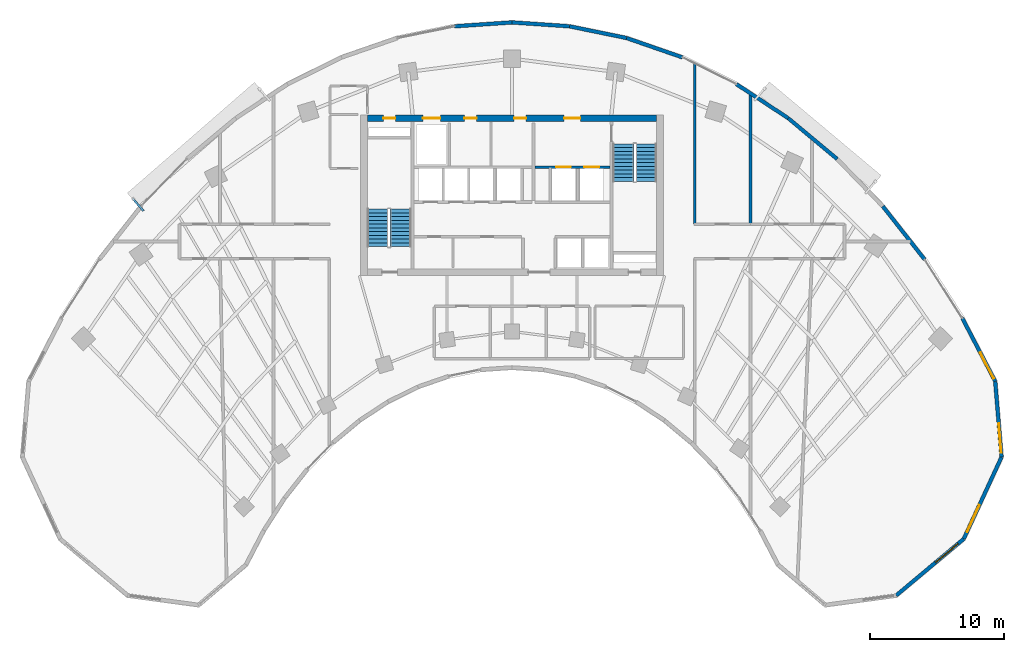
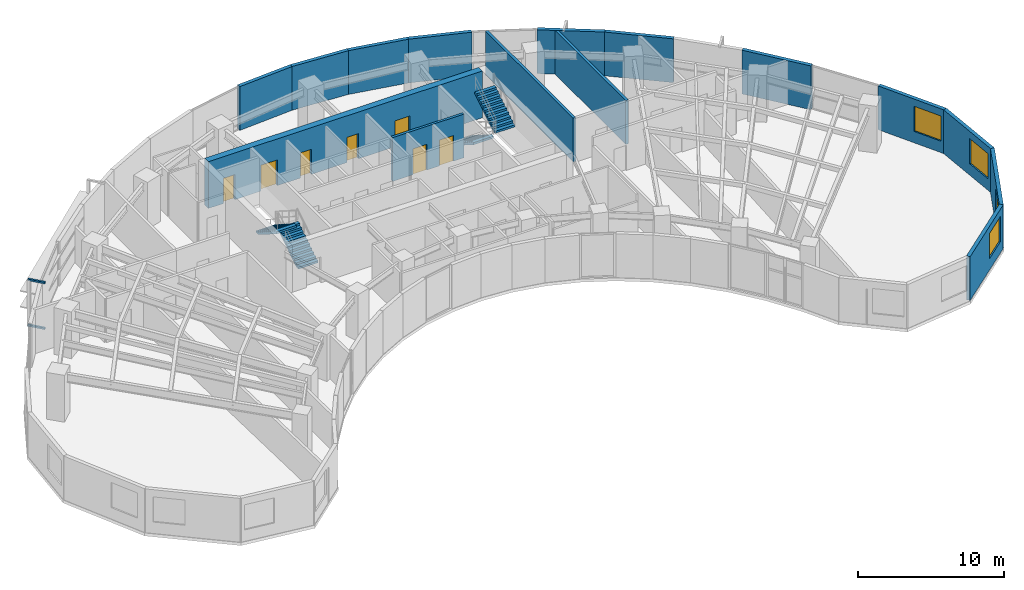
# One storey, part 11 of 14: 15 walls, 7 doors, 4 stair flights, 4 windows, 2 discrete accessories, 11 openings, 2 elements without a shape of their own.
"""IFC4 building model written with IfcOpenShell, lengths in metres."""

import ifcopenshell
import ifcopenshell.guid

model = None  # the IFC model being written
_history = None  # IfcOwnerHistory: only IFC2X3 demands one
_inside = {}  # id of a spatial element -> (the spatial element, [elements in it])
_under = {}  # id of a project, library or spatial element -> (it, [spatial elements below it])
_declared = {}  # id of a project -> (the project, [libraries it declares])
_typed = {}  # id of a type object -> (the type object, [elements of that type])
_made_of = {}  # id of a material, layer set ... -> (it, [elements and type objects made of it])


def new_model(schema):
    """Start an empty IFC model of exactly this schema.

    Asked for "IFC4X3", IfcOpenShell would pick the latest addendum, in which some entities
    have other attributes; the version numbers below select the first issue.
    IFC2X3 requires an IfcOwnerHistory on every rooted entity: one is made here for all.
    """
    global model, _history
    if schema == "IFC4X3":
        model = ifcopenshell.file(schema_version=(4, 3, 0, 0))
    else:
        model = ifcopenshell.file(schema=schema)
    _inside.clear()
    _under.clear()
    _declared.clear()
    _typed.clear()
    _made_of.clear()
    _history = None
    if model.schema == "IFC2X3":
        org = make("IfcOrganization", Name="unknown")
        user = make(
            "IfcPersonAndOrganization",
            ThePerson=make("IfcPerson", FamilyName="unknown"),
            TheOrganization=org,
        )
        app = make(
            "IfcApplication",
            ApplicationDeveloper=org,
            Version="unknown",
            ApplicationFullName="unknown",
            ApplicationIdentifier="unknown",
        )
        _history = make(
            "IfcOwnerHistory",
            OwningUser=user,
            OwningApplication=app,
            ChangeAction="ADDED",
            CreationDate=0,
        )
    return model


def make(cls, **values):
    """One entity of the class cls with the attributes given. An attribute that is None is left unset."""
    return model.create_entity(
        cls, **{name: value for name, value in values.items() if value is not None}
    )


def rooted(cls, **values):
    """An entity with a GlobalId (a new one), such as an element, a storey or a relation."""
    return make(cls, GlobalId=ifcopenshell.guid.new(), OwnerHistory=_history, **values)


def si_unit(unit_type, name, prefix=None):
    """IfcSIUnit, for example si_unit("LENGTHUNIT", "METRE", prefix="MILLI")."""
    return make("IfcSIUnit", UnitType=unit_type, Prefix=prefix, Name=name)


def assignment(units):
    """IfcUnitAssignment: the units of a project."""
    return None if units is None else make("IfcUnitAssignment", Units=units)


def point(xyz):
    """IfcCartesianPoint."""
    return None if xyz is None else make("IfcCartesianPoint", Coordinates=xyz)


def direction(xyz):
    """IfcDirection."""
    return None if xyz is None else make("IfcDirection", DirectionRatios=xyz)


def frame(location, z_axis=None, x_axis=None):
    """IfcAxis2Placement3D, a coordinate frame: its origin and axes. An axis left out is left unset."""
    return make(
        "IfcAxis2Placement3D",
        Location=point(location),
        Axis=direction(z_axis),
        RefDirection=direction(x_axis),
    )


def frame_2d(location, x_axis=None):
    """IfcAxis2Placement2D, a coordinate frame in the plane: its origin and x axis."""
    return make(
        "IfcAxis2Placement2D", Location=point(location), RefDirection=direction(x_axis)
    )


def origin():
    """The frame at (0, 0, 0) with its axes left unset."""
    return frame((0.0, 0.0, 0.0))


def origin_2d():
    """The frame at (0, 0) in the plane with its x axis left unset."""
    return frame_2d((0.0, 0.0))


def place(relative_to, where):
    """IfcLocalPlacement: puts the frame where relative to a parent placement (None: the world)."""
    return make(
        "IfcLocalPlacement", PlacementRelTo=relative_to, RelativePlacement=where
    )


def context(
    kind, dimensions, precision=None, world=None, true_north=None, identifier=None
):
    """IfcGeometricRepresentationContext, for example the 3D "Model" context."""
    return make(
        "IfcGeometricRepresentationContext",
        ContextIdentifier=identifier,
        ContextType=kind,
        CoordinateSpaceDimension=dimensions,
        Precision=precision,
        WorldCoordinateSystem=world,
        TrueNorth=true_north,
    )


def subcontext(parent, identifier, kind, view, scale=None):
    """IfcGeometricRepresentationSubContext, for example "Body" below "Model"."""
    return make(
        "IfcGeometricRepresentationSubContext",
        ContextIdentifier=identifier,
        ContextType=kind,
        ParentContext=parent,
        TargetScale=scale,
        TargetView=view,
    )


def project(units=None, contexts=None):
    """IfcProject with its units and contexts."""
    return rooted(
        "IfcProject",
        Name="project",
        RepresentationContexts=contexts,
        UnitsInContext=assignment(units),
    )


def spatial(cls, under=None, at=None, **own):
    """A site, building, storey or space (cls), placed at a placement, below another one or the project."""
    s = rooted(cls, ObjectPlacement=at, **own)
    if under is not None:
        _under.setdefault(under.id(), (under, []))[1].append(s)
    return s


def polyline(points):
    """IfcPolyline through the points."""
    return make("IfcPolyline", Points=[point(p) for p in points])


def profile(cls, at=None, kind="AREA", **sizes):
    """A parametric profile (cls). Its sizes go by their IFC names, for example OverallWidth=200.0."""
    return make(cls, ProfileType=kind, Position=at, **sizes)


def rectangle(**sizes):
    """IfcRectangleProfileDef."""
    return profile("IfcRectangleProfileDef", **sizes)


def outline(outer, holes=None, kind="AREA"):
    """IfcArbitraryClosedProfileDef: a profile drawn as a closed curve; with holes, ...WithVoids."""
    if holes is None:
        return make("IfcArbitraryClosedProfileDef", ProfileType=kind, OuterCurve=outer)
    return make(
        "IfcArbitraryProfileDefWithVoids",
        ProfileType=kind,
        OuterCurve=outer,
        InnerCurves=holes,
    )


def extrude(swept, where, along, depth):
    """IfcExtrudedAreaSolid: the profile swept, set in the frame where, extruded along a direction by depth."""
    return make(
        "IfcExtrudedAreaSolid",
        SweptArea=swept,
        Position=where,
        ExtrudedDirection=direction(along),
        Depth=depth,
    )


def shape(context_of_items, identifier, shape_type, items):
    """IfcShapeRepresentation: the items that make up one representation, for example the "Body"."""
    return make(
        "IfcShapeRepresentation",
        ContextOfItems=context_of_items,
        RepresentationIdentifier=identifier,
        RepresentationType=shape_type,
        Items=items,
    )


def source(mapping_origin, context_of_items, identifier, shape_type, items):
    """IfcRepresentationMap: a shape defined once, which mapped items show again and again."""
    return make(
        "IfcRepresentationMap",
        MappingOrigin=mapping_origin,
        MappedRepresentation=shape(context_of_items, identifier, shape_type, items),
    )


def transform(
    local_origin,
    x_axis=None,
    y_axis=None,
    z_axis=None,
    scale=None,
    scale2=None,
    scale3=None,
    uniform=True,
):
    """IfcCartesianTransformationOperator3D, or its non-uniform kind. x_axis, y_axis, z_axis: its Axis1, 2, 3."""
    if uniform:
        return make(
            "IfcCartesianTransformationOperator3D",
            Axis1=direction(x_axis),
            Axis2=direction(y_axis),
            LocalOrigin=point(local_origin),
            Scale=scale,
            Axis3=direction(z_axis),
        )
    return make(
        "IfcCartesianTransformationOperator3DnonUniform",
        Axis1=direction(x_axis),
        Axis2=direction(y_axis),
        LocalOrigin=point(local_origin),
        Scale=scale,
        Axis3=direction(z_axis),
        Scale2=scale2,
        Scale3=scale3,
    )


def mapped(mapping_source, mapping_target):
    """IfcMappedItem: shows the shape of a source again, moved by a transform."""
    return make(
        "IfcMappedItem", MappingSource=mapping_source, MappingTarget=mapping_target
    )


def material(Name=None, Category=None):
    """IfcMaterial."""
    return make("IfcMaterial", Name=Name, Category=Category)


def layer(
    of_material, thickness, ventilated=None, Name=None, Category=None, Priority=None
):
    """IfcMaterialLayer: one layer of a wall or slab, of a material (None: an air gap)."""
    return make(
        "IfcMaterialLayer",
        Material=of_material,
        LayerThickness=thickness,
        IsVentilated=ventilated,
        Name=Name,
        Category=Category,
        Priority=Priority,
    )


def layer_set(layers, Name=None):
    """IfcMaterialLayerSet."""
    return make("IfcMaterialLayerSet", MaterialLayers=layers, LayerSetName=Name)


def made_of(thing, what):
    """Note that an element or type object is made of a material, layer set ...; save() writes the relation."""
    if what is not None:
        _made_of.setdefault(what.id(), (what, []))[1].append(thing)
    return thing


def type_object(cls, material=None, **own):
    """A type object (cls), such as IfcWallType, which elements share."""
    return made_of(rooted(cls, **own), material)


def type_shapes(of_type, sources):
    """Give a type object the sources (RepresentationMaps) that its elements show as mapped items."""
    of_type.RepresentationMaps = sources


def element(
    cls,
    number,
    at=None,
    inside=None,
    cuts=None,
    type_object=None,
    material=None,
    context=None,
    identifier="Body",
    shape_type=None,
    held_by="IfcProductDefinitionShape",
    body=None,
    shapes=None,
    **own,
):
    """One element of the class cls, such as IfcWall. Its Tag is "e" and its number.

    at: its placement. inside: the storey or other place that contains it. cuts: it is an
    opening in that element (IfcRelVoidsElement). A single representation is given by context,
    identifier, shape_type and body (its items); several are given by shapes. held_by: the class
    of the entity that holds the representations. save() writes the other relations.
    """
    e = rooted(cls, Tag="e%d" % number, ObjectPlacement=at, **own)
    if body is not None:
        shapes = [shape(context, identifier, shape_type, body)]
    if shapes is not None:
        e.Representation = make(held_by, Representations=shapes)
    if inside is not None:
        _inside.setdefault(inside.id(), (inside, []))[1].append(e)
    if cuts is not None:
        rooted(
            "IfcRelVoidsElement", RelatingBuildingElement=cuts, RelatedOpeningElement=e
        )
    if type_object is not None:
        _typed.setdefault(type_object.id(), (type_object, []))[1].append(e)
    return made_of(e, material)


def fill(opening, filler):
    """IfcRelFillsElement: the door or window that sits in an opening."""
    return rooted(
        "IfcRelFillsElement",
        RelatingOpeningElement=opening,
        RelatedBuildingElement=filler,
    )


def aggregate(whole, parts):
    """IfcRelAggregates: a whole, such as a stair, and the parts it consists of."""
    return rooted("IfcRelAggregates", RelatingObject=whole, RelatedObjects=parts)


def save(model, path):
    """Write the relations noted so far, then the file.

    IfcRelAggregates (storeys below a building ...), IfcRelContainedInSpatialStructure (elements
    in a storey), IfcRelDefinesByType, IfcRelAssociatesMaterial and IfcRelDeclares: one each for
    every whole, place, type object, material and project.
    """
    for whole, parts in _under.values():
        aggregate(whole, parts)
    for where, things in _inside.values():
        rooted(
            "IfcRelContainedInSpatialStructure",
            RelatedElements=things,
            RelatingStructure=where,
        )
    for kind, things in _typed.values():
        rooted("IfcRelDefinesByType", RelatedObjects=things, RelatingType=kind)
    for what, things in _made_of.values():
        rooted("IfcRelAssociatesMaterial", RelatedObjects=things, RelatingMaterial=what)
    for by, libraries in _declared.values():
        rooted("IfcRelDeclares", RelatingContext=by, RelatedDefinitions=libraries)
    model.write(path)


model = new_model("IFC4")

# Units and contexts
model_context = context("Model", 3, precision=1e-05, world=origin(), true_north=direction((0.0, 1.0)))
body_context = subcontext(model_context, "Body", "Model", "MODEL_VIEW")
ifc_project = project(units=[si_unit("LENGTHUNIT", "METRE"), si_unit("AREAUNIT", "SQUARE_METRE"), si_unit("VOLUMEUNIT", "CUBIC_METRE"), si_unit("PLANEANGLEUNIT", "RADIAN"), si_unit("MASSUNIT", "GRAM", prefix="KILO")], contexts=[model_context])

# Site, building, storey
site_placement = place(None, origin())
site = spatial("IfcSite", under=ifc_project, at=site_placement, CompositionType="ELEMENT")
building_placement = place(site_placement, origin())
building = spatial("IfcBuilding", under=site, at=building_placement, Name="Breltana Convention Tower", CompositionType="ELEMENT")
storey_placement = place(building_placement, frame((0.0, 0.0, 135.0)))
storey = spatial("IfcBuildingStorey", under=building, at=storey_placement, Name="L32", CompositionType="ELEMENT", Elevation=135.0)

# Wall, openings, doors
ifc_material_1 = material(Name="Concrete C60/75", Category="concrete")
ifc_layer_1 = layer(ifc_material_1, 0.5, Name="Concrete C60/75")
ifc_layer_set_1 = layer_set([ifc_layer_1], Name="Concrete C60/75")
wall_type_1 = type_object("IfcWallType", Name="SW-CORE-500", PredefinedType="SHEAR", material=ifc_layer_set_1)
shared_shape_1 = source(origin(), body_context, "Body", "SweptSolid", [
    extrude(rectangle(XDim=21.60009765625, YDim=0.5, at=frame_2d((10.800048828125, 0.0))), origin(), (0.0, 0.0, 1.0), 3.89990234375),
])
wall_1_placement = place(storey_placement, frame((37.199951171875, 71.949951171875, 0.0), z_axis=(0.0, 0.0, 1.0), x_axis=(1.0, 0.0, 0.0)))
wall_1 = element("IfcWall", 1, at=wall_1_placement, inside=storey, type_object=wall_type_1, Name="L32 North Core Shear Wall", PredefinedType="SHEAR", context=body_context, shape_type="MappedRepresentation", body=[
    mapped(shared_shape_1, transform((0.0, 0.0, 0.0), scale=1.0)),
])
opening_1_placement = place(wall_1_placement, frame((1.199951171875, 0.0, 0.0)))
opening_1 = element("IfcOpeningElement", 2, at=opening_1_placement, cuts=wall_1, Name="Opening D-18", PredefinedType="OPENING", context=body_context, shape_type="SweptSolid", body=[
    extrude(rectangle(XDim=0.89990234375, YDim=2.10009765625, at=frame_2d((0.449951171875, 1.050048828125))), frame((0.0, 0.260009765625, 0.0), z_axis=(0.0, -1.0, 0.0), x_axis=(1.0, 0.0, 0.0)), (0.0, 0.0, 1.0), 0.52001953125),
])
opening_2_placement = place(wall_1_placement, frame((14.699951171875, 0.0, 0.0)))
opening_2 = element("IfcOpeningElement", 3, at=opening_2_placement, cuts=wall_1, Name="Opening D-09", PredefinedType="OPENING", context=body_context, shape_type="SweptSolid", body=[
    extrude(rectangle(XDim=1.199951171875, YDim=2.14990234375, at=frame_2d((0.60009765625, 1.074951171875))), frame((0.0, 0.260009765625, 0.0), z_axis=(0.0, -1.0, 0.0), x_axis=(1.0, 0.0, 0.0)), (0.0, 0.0, 1.0), 0.52001953125),
])
opening_3_placement = place(wall_1_placement, frame((4.14990234375, 0.0, 0.0)))
opening_3 = element("IfcOpeningElement", 4, at=opening_3_placement, cuts=wall_1, Name="Opening LD-01", PredefinedType="OPENING", context=body_context, shape_type="SweptSolid", body=[
    extrude(rectangle(XDim=1.300048828125, YDim=2.14990234375, at=frame_2d((0.64990234375, 1.074951171875))), frame((0.0, 0.260009765625, 0.0), z_axis=(0.0, -1.0, 0.0), x_axis=(1.0, 0.0, 0.0)), (0.0, 0.0, 1.0), 0.52001953125),
])
opening_4_placement = place(wall_1_placement, frame((7.25, 0.0, 0.0)))
opening_4 = element("IfcOpeningElement", 5, at=opening_4_placement, cuts=wall_1, Name="Opening D-18", PredefinedType="OPENING", context=body_context, shape_type="SweptSolid", body=[
    extrude(rectangle(XDim=0.89990234375, YDim=2.10009765625, at=frame_2d((0.449951171875, 1.050048828125))), frame((0.0, 0.260009765625, 0.0), z_axis=(0.0, -1.0, 0.0), x_axis=(1.0, 0.0, 0.0)), (0.0, 0.0, 1.0), 0.52001953125),
])
opening_5_placement = place(wall_1_placement, frame((10.949951171875, 0.0, 0.0)))
opening_5 = element("IfcOpeningElement", 6, at=opening_5_placement, cuts=wall_1, Name="Opening D-18", PredefinedType="OPENING", context=body_context, shape_type="SweptSolid", body=[
    extrude(rectangle(XDim=0.89990234375, YDim=2.10009765625, at=frame_2d((0.449951171875, 1.050048828125))), frame((0.0, 0.260009765625, 0.0), z_axis=(0.0, -1.0, 0.0), x_axis=(1.0, 0.0, 0.0)), (0.0, 0.0, 1.0), 0.52001953125),
])
ifc_material_2 = material(Name="Steel Riser Fire Door", Category="steel")
door_type_1 = type_object("IfcDoorType", Name="DR-FD60-900", OperationType="NOTDEFINED", PredefinedType="DOOR", material=ifc_material_2)
shared_shape_2 = source(origin(), body_context, "Body", "SweptSolid", [
    extrude(rectangle(XDim=0.89990234375, YDim=2.10009765625, at=frame_2d((0.449951171875, 1.050048828125))), frame((0.0, 0.02490234375, 0.0), z_axis=(0.0, -1.0, 0.0), x_axis=(1.0, 0.0, 0.0)), (0.0, 0.0, 1.0), 0.050048828125),
])
type_shapes(door_type_1, [shared_shape_2])
door_1_placement = place(opening_1_placement, origin())
door_1 = element("IfcDoor", 7, at=door_1_placement, inside=storey, type_object=door_type_1, Name="L32 Core Riser Access Door D-L32-RS1", OperationType="SINGLE_SWING_LEFT", OverallHeight=2.10009765625, OverallWidth=0.89990234375, PredefinedType="DOOR", context=body_context, shape_type="MappedRepresentation", body=[
    mapped(shared_shape_2, transform((0.0, 0.0, 0.0), scale=1.0)),
])
fill(opening_1, door_1)
door_2_placement = place(opening_4_placement, origin())
door_2 = element("IfcDoor", 8, at=door_2_placement, inside=storey, type_object=door_type_1, Name="L32 interior door D-L32-CRA1", OperationType="SINGLE_SWING_RIGHT", OverallHeight=2.10009765625, OverallWidth=0.89990234375, PredefinedType="DOOR", context=body_context, shape_type="MappedRepresentation", body=[
    mapped(shared_shape_2, transform((0.0, 0.0, 0.0), scale=1.0)),
])
fill(opening_4, door_2)
door_3_placement = place(opening_5_placement, origin())
door_3 = element("IfcDoor", 9, at=door_3_placement, inside=storey, type_object=door_type_1, Name="L32 interior door D-L32-CRA2", OperationType="SINGLE_SWING_LEFT", OverallHeight=2.10009765625, OverallWidth=0.89990234375, PredefinedType="DOOR", context=body_context, shape_type="MappedRepresentation", body=[
    mapped(shared_shape_2, transform((0.0, 0.0, 0.0), scale=1.0)),
])
fill(opening_5, door_3)
ifc_material_3 = material(Name="Steel Fire Lobby Door", Category="steel")
door_type_2 = type_object("IfcDoorType", Name="DR-FD120-1200", OperationType="NOTDEFINED", PredefinedType="DOOR", material=ifc_material_3)
shared_shape_3 = source(origin(), body_context, "Body", "SweptSolid", [
    extrude(rectangle(XDim=1.199951171875, YDim=2.14990234375, at=frame_2d((0.60009765625, 1.074951171875))), frame((0.0, 0.02490234375, 0.0), z_axis=(0.0, -1.0, 0.0), x_axis=(1.0, 0.0, 0.0)), (0.0, 0.0, 1.0), 0.050048828125),
])
type_shapes(door_type_2, [shared_shape_3])
door_4_placement = place(opening_2_placement, origin())
door_4 = element("IfcDoor", 10, at=door_4_placement, inside=storey, type_object=door_type_2, Name="L32 interior door D-L32-FFL-N", OperationType="SINGLE_SWING_RIGHT", OverallHeight=2.14990234375, OverallWidth=1.199951171875, PredefinedType="DOOR", context=body_context, shape_type="MappedRepresentation", body=[
    mapped(shared_shape_3, transform((0.0, 0.0, 0.0), scale=1.0)),
])
fill(opening_2, door_4)
ifc_material_4 = material(Name="Stainless Steel Brushed", Category="steel")
door_type_3 = type_object("IfcDoorType", Name="DR-LD-SRV-1300", OperationType="DOUBLE_DOOR_SLIDING", PredefinedType="DOOR", material=ifc_material_4)
shared_shape_4 = source(origin(), body_context, "Body", "SweptSolid", [
    extrude(rectangle(XDim=1.300048828125, YDim=2.14990234375, at=frame_2d((0.64990234375, 1.074951171875))), frame((0.0, 0.02490234375, 0.0), z_axis=(0.0, -1.0, 0.0), x_axis=(1.0, 0.0, 0.0)), (0.0, 0.0, 1.0), 0.050048828125),
])
type_shapes(door_type_3, [shared_shape_4])
door_5_placement = place(opening_3_placement, origin())
door_5 = element("IfcDoor", 11, at=door_5_placement, inside=storey, type_object=door_type_3, Name="L32 Lift Landing Door D-L32-LD-SV1", OperationType="DOUBLE_DOOR_SLIDING", OverallHeight=2.14990234375, OverallWidth=1.300048828125, PredefinedType="DOOR", context=body_context, shape_type="MappedRepresentation", body=[
    mapped(shared_shape_4, transform((0.0, 0.0, 0.0), scale=1.0)),
])
fill(opening_3, door_5)

# Wall, opening, window
ifc_material_5 = material(Name="Limestone Buff Insulated Wall", Category="masonry")
ifc_layer_2 = layer(ifc_material_5, 0.280029296875, Name="Limestone Buff Insulated Wall")
ifc_layer_set_2 = layer_set([ifc_layer_2], Name="Limestone Buff Insulated Wall")
wall_type_2 = type_object("IfcWallType", Name="WL-EXT-NOSE-280", PredefinedType="SOLIDWALL", material=ifc_layer_set_2)
shared_shape_5 = source(origin(), body_context, "Body", "SweptSolid", [
    extrude(rectangle(XDim=5.673583984375, YDim=0.280029296875, at=frame_2d((2.8369140625, 0.0))), origin(), (0.0, 0.0, 1.0), 3.64990234375),
])
wall_2_placement = place(storey_placement, frame((84.07763671875, 52.305419921875, 0.0), z_axis=(0.0, 0.0, 1.0), x_axis=(0.083309007867, -0.996523762491, 0.0)))
wall_2 = element("IfcWall", 12, at=wall_2_placement, inside=storey, type_object=wall_type_2, Name="L32 curved limestone nose wall E1", PredefinedType="SOLIDWALL", context=body_context, shape_type="MappedRepresentation", body=[
    mapped(shared_shape_5, transform((0.0, 0.0, 0.0), scale=1.0)),
])
opening_6_placement = place(wall_2_placement, frame((3.155029296875, 0.0, 0.949951171875)))
opening_6 = element("IfcOpeningElement", 13, at=opening_6_placement, cuts=wall_2, Name="Opening W-03", PredefinedType="OPENING", context=body_context, shape_type="SweptSolid", body=[
    extrude(rectangle(XDim=2.199951171875, YDim=2.10009765625, at=frame_2d((1.10009765625, 1.050048828125))), frame((0.0, 0.14990234375, 0.0), z_axis=(0.0, -1.0, 0.0), x_axis=(1.0, 0.0, 0.0)), (0.0, 0.0, 1.0), 0.300048828125),
])
ifc_material_6 = material(Name="Glass Low-E Insulated Window", Category="glass")
window_type = type_object("IfcWindowType", Name="WN-NOSE-2200X2100", PartitioningType="TRIPLE_PANEL_VERTICAL", PredefinedType="WINDOW", material=ifc_material_6)
shared_shape_6 = source(origin(), body_context, "Body", "SweptSolid", [
    extrude(rectangle(XDim=2.199951171875, YDim=2.10009765625, at=frame_2d((1.10009765625, 1.050048828125))), frame((0.0, 0.030029296875, 0.0), z_axis=(0.0, -1.0, 0.0), x_axis=(1.0, 0.0, 0.0)), (0.0, 0.0, 1.0), 0.06005859375),
])
type_shapes(window_type, [shared_shape_6])
window_1_placement = place(opening_6_placement, origin())
window_1 = element("IfcWindow", 14, at=window_1_placement, inside=storey, type_object=window_type, Name="L32 nose window E1", OverallHeight=2.10009765625, OverallWidth=2.199951171875, PartitioningType="TRIPLE_PANEL_VERTICAL", PredefinedType="WINDOW", context=body_context, shape_type="MappedRepresentation", body=[
    mapped(shared_shape_6, transform((0.0, 0.0, 0.0), scale=1.0)),
])
fill(opening_6, window_1)

shared_shape_7 = source(origin(), body_context, "Body", "SweptSolid", [
    extrude(rectangle(XDim=6.731689453125, YDim=0.280029296875, at=frame_2d((3.36572265625, 0.0))), origin(), (0.0, 0.0, 1.0), 3.64990234375),
])
wall_3_placement = place(storey_placement, frame((84.55029296875, 46.651611328125, 0.0), z_axis=(0.0, 0.0, 1.0), x_axis=(-0.419644552709, -0.907688520023, 0.0)))
wall_3 = element("IfcWall", 15, at=wall_3_placement, inside=storey, type_object=wall_type_2, Name="L32 curved limestone nose wall E2", PredefinedType="SOLIDWALL", context=body_context, shape_type="MappedRepresentation", body=[
    mapped(shared_shape_7, transform((0.0, 0.0, 0.0), scale=1.0)),
])
opening_7_placement = place(wall_3_placement, frame((3.948974609375, 0.0, 0.949951171875)))
opening_7 = element("IfcOpeningElement", 16, at=opening_7_placement, cuts=wall_3, Name="Opening W-03", PredefinedType="OPENING", context=body_context, shape_type="SweptSolid", body=[
    extrude(rectangle(XDim=2.199951171875, YDim=2.10009765625, at=frame_2d((1.10009765625, 1.050048828125))), frame((0.0, 0.14990234375, 0.0), z_axis=(0.0, -1.0, 0.0), x_axis=(1.0, 0.0, 0.0)), (0.0, 0.0, 1.0), 0.300048828125),
])
window_2_placement = place(opening_7_placement, origin())
window_2 = element("IfcWindow", 17, at=window_2_placement, inside=storey, type_object=window_type, Name="L32 nose window E2", OverallHeight=2.10009765625, OverallWidth=2.199951171875, PartitioningType="TRIPLE_PANEL_VERTICAL", PredefinedType="WINDOW", context=body_context, shape_type="MappedRepresentation", body=[
    mapped(shared_shape_6, transform((0.0, 0.0, 0.0), scale=1.0)),
])
fill(opening_7, window_2)

shared_shape_8 = source(origin(), body_context, "Body", "SweptSolid", [
    extrude(rectangle(XDim=6.572998046875, YDim=0.280029296875, at=frame_2d((3.28662109375, 0.0))), origin(), (0.0, 0.0, 1.0), 3.64990234375),
])
wall_4_placement = place(storey_placement, frame((81.725341796875, 40.541259765625, 0.0), z_axis=(0.0, 0.0, 1.0), x_axis=(-0.766715154163, -0.641987439423, 0.0)))
wall_4 = element("IfcWall", 18, at=wall_4_placement, inside=storey, type_object=wall_type_2, Name="L32 curved limestone nose wall E3", PredefinedType="SOLIDWALL", context=body_context, shape_type="MappedRepresentation", body=[
    mapped(shared_shape_8, transform((0.0, 0.0, 0.0), scale=1.0)),
])
opening_8_placement = place(wall_4_placement, frame((0.543212890625, 0.0, 0.949951171875)))
opening_8 = element("IfcOpeningElement", 19, at=opening_8_placement, cuts=wall_4, Name="Opening W-03", PredefinedType="OPENING", context=body_context, shape_type="SweptSolid", body=[
    extrude(rectangle(XDim=2.199951171875, YDim=2.10009765625, at=frame_2d((1.10009765625, 1.050048828125))), frame((0.0, 0.14990234375, 0.0), z_axis=(0.0, -1.0, 0.0), x_axis=(1.0, 0.0, 0.0)), (0.0, 0.0, 1.0), 0.300048828125),
])
window_3_placement = place(opening_8_placement, origin())
window_3 = element("IfcWindow", 20, at=window_3_placement, inside=storey, type_object=window_type, Name="L32 nose window E3", OverallHeight=2.10009765625, OverallWidth=2.199951171875, PartitioningType="TRIPLE_PANEL_VERTICAL", PredefinedType="WINDOW", context=body_context, shape_type="MappedRepresentation", body=[
    mapped(shared_shape_6, transform((0.0, 0.0, 0.0), scale=1.0)),
])
fill(opening_8, window_3)

shared_shape_9 = source(origin(), body_context, "Body", "SweptSolid", [
    extrude(rectangle(XDim=5.315185546875, YDim=0.280029296875, at=frame_2d((2.65771484375, 0.0))), origin(), (0.0, 0.0, 1.0), 3.64990234375),
])
wall_5_placement = place(storey_placement, frame((81.623291015625, 57.02001953125, 0.0), z_axis=(0.0, 0.0, 1.0), x_axis=(0.461760527822, -0.887004630735, 0.0)))
wall_5 = element("IfcWall", 21, at=wall_5_placement, inside=storey, type_object=wall_type_2, Name="L32 curved limestone nose wall E33", PredefinedType="SOLIDWALL", context=body_context, shape_type="MappedRepresentation", body=[
    mapped(shared_shape_9, transform((0.0, 0.0, 0.0), scale=1.0)),
])
opening_9_placement = place(wall_5_placement, frame((2.886474609375, 0.0, 0.949951171875)))
opening_9 = element("IfcOpeningElement", 22, at=opening_9_placement, cuts=wall_5, Name="Opening W-03", PredefinedType="OPENING", context=body_context, shape_type="SweptSolid", body=[
    extrude(rectangle(XDim=2.199951171875, YDim=2.10009765625, at=frame_2d((1.10009765625, 1.050048828125))), frame((0.0, 0.14990234375, 0.0), z_axis=(0.0, -1.0, 0.0), x_axis=(1.0, 0.0, 0.0)), (0.0, 0.0, 1.0), 0.300048828125),
])
window_4_placement = place(opening_9_placement, origin())
window_4 = element("IfcWindow", 23, at=window_4_placement, inside=storey, type_object=window_type, Name="L32 nose window E33", OverallHeight=2.10009765625, OverallWidth=2.199951171875, PartitioningType="TRIPLE_PANEL_VERTICAL", PredefinedType="WINDOW", context=body_context, shape_type="MappedRepresentation", body=[
    mapped(shared_shape_6, transform((0.0, 0.0, 0.0), scale=1.0)),
])
fill(opening_9, window_4)

# Walls
shared_shape_10 = source(origin(), body_context, "Body", "SweptSolid", [
    extrude(rectangle(XDim=5.05810546875, YDim=0.280029296875, at=frame_2d((2.529052734375, 0.0))), origin(), (0.0, 0.0, 1.0), 3.64990234375),
])
wall_6_placement = place(storey_placement, frame((75.684814453125, 65.37646484375, 0.0), z_axis=(0.0, 0.0, 1.0), x_axis=(0.618145507434, -0.786063694391, 0.0)))
element("IfcWall", 24, at=wall_6_placement, inside=storey, type_object=wall_type_2, Name="L32 curved limestone nose wall E32", PredefinedType="SOLIDWALL", context=body_context, shape_type="MappedRepresentation", body=[
    mapped(shared_shape_10, transform((0.0, 0.0, 0.0), scale=1.0)),
])
shared_shape_11 = source(origin(), body_context, "Body", "SweptSolid", [
    extrude(rectangle(XDim=4.76220703125, YDim=0.280029296875, at=frame_2d((2.381103515625, 0.0))), origin(), (0.0, 0.0, 1.0), 3.64990234375),
])
wall_7_placement = place(storey_placement, frame((68.6181640625, 71.957763671875, 0.0), z_axis=(0.0, 0.0, 1.0), x_axis=(0.767952279762, -0.640507061638, 0.0)))
element("IfcWall", 25, at=wall_7_placement, inside=storey, type_object=wall_type_2, Name="L32 curved limestone nose wall E30", PredefinedType="SOLIDWALL", context=body_context, shape_type="MappedRepresentation", body=[
    mapped(shared_shape_11, transform((0.0, 0.0, 0.0), scale=1.0)),
])
shared_shape_12 = source(origin(), body_context, "Body", "SweptSolid", [
    extrude(rectangle(XDim=4.625732421875, YDim=0.280029296875, at=frame_2d((2.31298828125, 0.0))), origin(), (0.0, 0.0, 1.0), 3.64990234375),
])
wall_8_placement = place(storey_placement, frame((64.751220703125, 74.496337890625, 0.0), z_axis=(0.0, 0.0, 1.0), x_axis=(0.83595938331, -0.548791316855, 0.0)))
element("IfcWall", 26, at=wall_8_placement, inside=storey, type_object=wall_type_2, Name="L32 curved limestone nose wall E29", PredefinedType="SOLIDWALL", context=body_context, shape_type="MappedRepresentation", body=[
    mapped(shared_shape_12, transform((0.0, 0.0, 0.0), scale=1.0)),
])
shared_shape_13 = source(origin(), body_context, "Body", "SweptSolid", [
    extrude(rectangle(XDim=4.408935546875, YDim=0.280029296875, at=frame_2d((2.20458984375, 0.0))), origin(), (0.0, 0.0, 1.0), 3.64990234375),
])
wall_9_placement = place(storey_placement, frame((56.54833984375, 77.94091796875, 0.0), z_axis=(0.0, 0.0, 1.0), x_axis=(0.944879374121, -0.327418643881, 0.0)))
element("IfcWall", 27, at=wall_9_placement, inside=storey, type_object=wall_type_2, Name="L32 curved limestone nose wall E28", PredefinedType="SOLIDWALL", context=body_context, shape_type="MappedRepresentation", body=[
    mapped(shared_shape_13, transform((0.0, 0.0, 0.0), scale=1.0)),
])
shared_shape_14 = source(origin(), body_context, "Body", "SweptSolid", [
    extrude(rectangle(XDim=4.3408203125, YDim=0.280029296875, at=frame_2d((2.17041015625, 0.0))), origin(), (0.0, 0.0, 1.0), 3.64990234375),
])
wall_10_placement = place(storey_placement, frame((52.2958984375, 78.81298828125, 0.0), z_axis=(0.0, 0.0, 1.0), x_axis=(0.979612918634, -0.20089432457, 0.0)))
element("IfcWall", 28, at=wall_10_placement, inside=storey, type_object=wall_type_2, Name="L32 curved limestone nose wall E27", PredefinedType="SOLIDWALL", context=body_context, shape_type="MappedRepresentation", body=[
    mapped(shared_shape_14, transform((0.0, 0.0, 0.0), scale=1.0)),
])
shared_shape_15 = source(origin(), body_context, "Body", "SweptSolid", [
    extrude(rectangle(XDim=4.3056640625, YDim=0.280029296875, at=frame_2d((2.15283203125, 0.0))), origin(), (0.0, 0.0, 1.0), 3.64990234375),
])
for number, where, z_axis, x_axis, name in (
    (29, (43.7041015625, 78.81298828125, 0.0), (0.0, 0.0, 1.0), (0.997705679258, 0.067700646797, 0.0), "L32 curved limestone nose wall E25"),
    (30, (48.0, 79.1044921875, 0.0), (0.0, 0.0, 1.0), (0.997705679258, -0.067700646797, 0.0), "L32 curved limestone nose wall E26"),
):
    element("IfcWall", number, at=place(storey_placement, frame(where, z_axis=z_axis, x_axis=x_axis)), inside=storey, type_object=wall_type_2, Name=name, PredefinedType="SOLIDWALL", context=body_context, shape_type="MappedRepresentation", body=[
        mapped(shared_shape_15, transform((0.0, 0.0, 0.0), scale=1.0)),
    ])

# Wall, openings, doors
ifc_material_7 = material(Name="Autoclaved Aerated Concrete Block", Category="concrete")
ifc_layer_3 = layer(ifc_material_7, 0.199951171875, Name="Autoclaved Aerated Concrete Block")
ifc_layer_set_3 = layer_set([ifc_layer_3], Name="Autoclaved Aerated Concrete Block")
wall_type_3 = type_object("IfcWallType", Name="WL-SHAFT-200", PredefinedType="SOLIDWALL", material=ifc_layer_set_3)
shared_shape_16 = source(origin(), body_context, "Body", "SweptSolid", [
    extrude(rectangle(XDim=5.6201171875, YDim=0.199951171875, at=frame_2d((2.81005859375, 0.0))), origin(), (0.0, 0.0, 1.0), 3.64990234375),
])
wall_11_placement = place(storey_placement, frame((49.699951171875, 68.300048828125, 0.0), z_axis=(0.0, 0.0, 1.0), x_axis=(1.0, 0.0, 0.0)))
wall_11 = element("IfcWall", 31, at=wall_11_placement, inside=storey, type_object=wall_type_3, Name="L32 interior partition W-L32-FFL-S", PredefinedType="SOLIDWALL", context=body_context, shape_type="MappedRepresentation", body=[
    mapped(shared_shape_16, transform((0.0, 0.0, 0.0), scale=1.0)),
])
opening_10_placement = place(wall_11_placement, frame((1.60009765625, 0.0, 0.0)))
opening_10 = element("IfcOpeningElement", 32, at=opening_10_placement, cuts=wall_11, Name="Opening LD-03", PredefinedType="OPENING", context=body_context, shape_type="SweptSolid", body=[
    extrude(rectangle(XDim=1.10009765625, YDim=2.14990234375, at=frame_2d((0.550048828125, 1.074951171875))), frame((0.0, 0.10986328125, 0.0), z_axis=(0.0, -1.0, 0.0), x_axis=(1.0, 0.0, 0.0)), (0.0, 0.0, 1.0), 0.219970703125),
])
opening_11_placement = place(wall_11_placement, frame((3.699951171875, 0.0, 0.0)))
opening_11 = element("IfcOpeningElement", 33, at=opening_11_placement, cuts=wall_11, Name="Opening LD-03", PredefinedType="OPENING", context=body_context, shape_type="SweptSolid", body=[
    extrude(rectangle(XDim=1.10009765625, YDim=2.14990234375, at=frame_2d((0.550048828125, 1.074951171875))), frame((0.0, 0.10986328125, 0.0), z_axis=(0.0, -1.0, 0.0), x_axis=(1.0, 0.0, 0.0)), (0.0, 0.0, 1.0), 0.219970703125),
])
door_type_4 = type_object("IfcDoorType", Name="DR-LD-FF-1100", OperationType="DOUBLE_DOOR_SLIDING", PredefinedType="DOOR", material=ifc_material_4)
shared_shape_17 = source(origin(), body_context, "Body", "SweptSolid", [
    extrude(rectangle(XDim=1.10009765625, YDim=2.14990234375, at=frame_2d((0.550048828125, 1.074951171875))), frame((0.0, 0.02490234375, 0.0), z_axis=(0.0, -1.0, 0.0), x_axis=(1.0, 0.0, 0.0)), (0.0, 0.0, 1.0), 0.050048828125),
])
type_shapes(door_type_4, [shared_shape_17])
door_6_placement = place(opening_10_placement, origin())
door_6 = element("IfcDoor", 34, at=door_6_placement, inside=storey, type_object=door_type_4, Name="L32 Lift Landing Door D-L32-LD-FL1", OperationType="DOUBLE_DOOR_SLIDING", OverallHeight=2.14990234375, OverallWidth=1.10009765625, PredefinedType="DOOR", context=body_context, shape_type="MappedRepresentation", body=[
    mapped(shared_shape_17, transform((0.0, 0.0, 0.0), scale=1.0)),
])
fill(opening_10, door_6)
door_7_placement = place(opening_11_placement, origin())
door_7 = element("IfcDoor", 35, at=door_7_placement, inside=storey, type_object=door_type_4, Name="L32 Lift Landing Door D-L32-LD-FL2", OperationType="DOUBLE_DOOR_SLIDING", OverallHeight=2.14990234375, OverallWidth=1.10009765625, PredefinedType="DOOR", context=body_context, shape_type="MappedRepresentation", body=[
    mapped(shared_shape_17, transform((0.0, 0.0, 0.0), scale=1.0)),
])
fill(opening_11, door_7)

# Walls
ifc_material_8 = material(Name="Autoclaved Aerated Masonry Blockwork", Category="masonry")
ifc_layer_4 = layer(ifc_material_8, 0.2099609375, Name="Autoclaved Aerated Masonry Blockwork")
ifc_layer_set_4 = layer_set([ifc_layer_4], Name="Autoclaved Aerated Masonry Blockwork")
wall_type_4 = type_object("IfcWallType", Name="WL-PART-200", PredefinedType="PARTITIONING", material=ifc_layer_set_4)
shared_shape_18 = source(origin(), body_context, "Body", "SweptSolid", [
    extrude(rectangle(XDim=9.73583984375, YDim=0.2099609375, at=frame_2d((4.867919921875, 0.0))), origin(), (0.0, 0.0, 1.0), 3.64990234375),
])
wall_12_placement = place(storey_placement, frame((65.800048828125, 64.06005859375, 0.0), z_axis=(0.0, 0.0, 1.0), x_axis=(0.0, 1.0, 0.0)))
element("IfcWall", 36, at=wall_12_placement, inside=storey, type_object=wall_type_4, Name="L32 interior partition W-L32-ZEN1-E", PredefinedType="PARTITIONING", context=body_context, shape_type="MappedRepresentation", body=[
    mapped(shared_shape_18, transform((0.0, 0.0, 0.0), scale=1.0)),
])
shared_shape_19 = source(origin(), body_context, "Body", "SweptSolid", [
    extrude(rectangle(XDim=11.9873046875, YDim=0.2099609375, at=frame_2d((5.99365234375, 0.0))), origin(), (0.0, 0.0, 1.0), 3.64990234375),
])
wall_13_placement = place(storey_placement, frame((61.639892578125, 64.0400390625, 0.0), z_axis=(0.0, 0.0, 1.0), x_axis=(0.0, 1.0, 0.0)))
element("IfcWall", 37, at=wall_13_placement, inside=storey, type_object=wall_type_4, Name="L32 interior partition W-L32-ZODD-EN", PredefinedType="PARTITIONING", context=body_context, shape_type="MappedRepresentation", body=[
    mapped(shared_shape_19, transform((0.0, 0.0, 0.0), scale=1.0)),
])

# Stair, stair flights
ifc_material_9 = material(Name="Concrete C40/50", Category="concrete")
stair_type = type_object("IfcStairType", Name="ST-DOG-1560-R177", PredefinedType="HALF_TURN_STAIR", material=ifc_material_9)
stair_1_placement = place(storey_placement, origin())
stair_1 = element("IfcStair", 38, at=stair_1_placement, inside=storey, type_object=stair_type, Name="L32 Protected Core Exit Stair ST-1", PredefinedType="HALF_TURN_STAIR")
stair_flight_type = type_object("IfcStairFlightType", Name="STF-DOG-1560-N11-R177", PredefinedType="STRAIGHT", material=ifc_material_9)
stair_flight_1_placement = place(storey_placement, frame((39.68994140625, 62.360107421875, 0.0), z_axis=(0.0, 0.0, 1.0), x_axis=(0.0, 1.0, 0.0)))
stair_flight_1 = element("IfcStairFlight", 39, at=stair_flight_1_placement, type_object=stair_flight_type, Name="ST-1 flight 1", NumberOfRisers=11, NumberOfTreads=10, PredefinedType="STRAIGHT", RiserHeight=0.177272727, TreadLength=0.28, context=body_context, shape_type="SweptSolid", body=[
    extrude(outline(polyline([(0.0, 0.0), (0.0, 0.17724609375), (0.280029296875, 0.17724609375), (0.280029296875, 0.3544921875), (0.56005859375, 0.3544921875), (0.56005859375, 0.53173828125), (0.840087890625, 0.53173828125), (0.840087890625, 0.708984375), (1.1201171875, 0.708984375), (1.1201171875, 0.886474609375), (1.39990234375, 0.886474609375), (1.39990234375, 1.063720703125), (1.679931640625, 1.063720703125), (1.679931640625, 1.240966796875), (1.9599609375, 1.240966796875), (1.9599609375, 1.418212890625), (2.239990234375, 1.418212890625), (2.239990234375, 1.595458984375), (2.52001953125, 1.595458984375), (2.52001953125, 1.772705078125), (2.800048828125, 1.772705078125), (2.800048828125, 1.949951171875), (2.800048828125, 1.59521484375), (0.2802734375, 0.0), (0.0, 0.0)])), frame((0.0, 0.780029296875, 0.0), z_axis=(0.0, -1.0, 0.0), x_axis=(1.0, 0.0, 0.0)), (0.0, 0.0, 1.0), 1.56005859375),
])
stair_flight_2_placement = place(storey_placement, frame((37.97998046875, 65.159912109375, 1.949951171875), z_axis=(0.0, 0.0, 1.0), x_axis=(0.0, -1.0, 0.0)))
stair_flight_2 = element("IfcStairFlight", 40, at=stair_flight_2_placement, type_object=stair_flight_type, Name="ST-1 flight 2", NumberOfRisers=11, NumberOfTreads=10, PredefinedType="STRAIGHT", RiserHeight=0.177272727, TreadLength=0.28, context=body_context, shape_type="SweptSolid", body=[
    extrude(outline(polyline([(0.0, 0.0), (0.0, 0.17724609375), (0.280029296875, 0.17724609375), (0.280029296875, 0.3544921875), (0.56005859375, 0.3544921875), (0.56005859375, 0.53173828125), (0.840087890625, 0.53173828125), (0.840087890625, 0.708984375), (1.1201171875, 0.708984375), (1.1201171875, 0.886474609375), (1.39990234375, 0.886474609375), (1.39990234375, 1.063720703125), (1.679931640625, 1.063720703125), (1.679931640625, 1.240966796875), (1.9599609375, 1.240966796875), (1.9599609375, 1.418212890625), (2.239990234375, 1.418212890625), (2.239990234375, 1.595458984375), (2.52001953125, 1.595458984375), (2.52001953125, 1.772705078125), (2.800048828125, 1.772705078125), (2.800048828125, 1.949951171875), (2.800048828125, 1.59521484375), (0.2802734375, 0.0), (0.0, 0.0)])), frame((0.0, 0.780029296875, 0.0), z_axis=(0.0, -1.0, 0.0), x_axis=(1.0, 0.0, 0.0)), (0.0, 0.0, 1.0), 1.56005859375),
])
aggregate(stair_1, [stair_flight_1, stair_flight_2])

stair_2_placement = place(storey_placement, origin())
stair_2 = element("IfcStair", 41, at=stair_2_placement, inside=storey, type_object=stair_type, Name="L32 Protected Core Exit Stair ST-2", PredefinedType="HALF_TURN_STAIR")
stair_flight_3_placement = place(storey_placement, frame((56.31005859375, 70.0400390625, 0.0), z_axis=(0.0, 0.0, 1.0), x_axis=(0.0, -1.0, 0.0)))
stair_flight_3 = element("IfcStairFlight", 42, at=stair_flight_3_placement, type_object=stair_flight_type, Name="ST-2 flight 1", NumberOfRisers=11, NumberOfTreads=10, PredefinedType="STRAIGHT", RiserHeight=0.177272727, TreadLength=0.28, context=body_context, shape_type="SweptSolid", body=[
    extrude(outline(polyline([(0.0, 0.0), (0.0, 0.17724609375), (0.280029296875, 0.17724609375), (0.280029296875, 0.3544921875), (0.56005859375, 0.3544921875), (0.56005859375, 0.53173828125), (0.840087890625, 0.53173828125), (0.840087890625, 0.708984375), (1.1201171875, 0.708984375), (1.1201171875, 0.886474609375), (1.39990234375, 0.886474609375), (1.39990234375, 1.063720703125), (1.679931640625, 1.063720703125), (1.679931640625, 1.240966796875), (1.9599609375, 1.240966796875), (1.9599609375, 1.418212890625), (2.239990234375, 1.418212890625), (2.239990234375, 1.595458984375), (2.52001953125, 1.595458984375), (2.52001953125, 1.772705078125), (2.800048828125, 1.772705078125), (2.800048828125, 1.949951171875), (2.800048828125, 1.59521484375), (0.2802734375, 0.0), (0.0, 0.0)])), frame((0.0, 0.780029296875, 0.0), z_axis=(0.0, -1.0, 0.0), x_axis=(1.0, 0.0, 0.0)), (0.0, 0.0, 1.0), 1.56005859375),
])
stair_flight_4_placement = place(storey_placement, frame((58.02001953125, 67.239990234375, 1.949951171875), z_axis=(0.0, 0.0, 1.0), x_axis=(0.0, 1.0, 0.0)))
stair_flight_4 = element("IfcStairFlight", 43, at=stair_flight_4_placement, type_object=stair_flight_type, Name="ST-2 flight 2", NumberOfRisers=11, NumberOfTreads=10, PredefinedType="STRAIGHT", RiserHeight=0.177272727, TreadLength=0.28, context=body_context, shape_type="SweptSolid", body=[
    extrude(outline(polyline([(0.0, 0.0), (0.0, 0.17724609375), (0.280029296875, 0.17724609375), (0.280029296875, 0.3544921875), (0.56005859375, 0.3544921875), (0.56005859375, 0.53173828125), (0.840087890625, 0.53173828125), (0.840087890625, 0.708984375), (1.1201171875, 0.708984375), (1.1201171875, 0.886474609375), (1.39990234375, 0.886474609375), (1.39990234375, 1.063720703125), (1.679931640625, 1.063720703125), (1.679931640625, 1.240966796875), (1.9599609375, 1.240966796875), (1.9599609375, 1.418212890625), (2.239990234375, 1.418212890625), (2.239990234375, 1.595458984375), (2.52001953125, 1.595458984375), (2.52001953125, 1.772705078125), (2.800048828125, 1.772705078125), (2.800048828125, 1.949951171875), (2.800048828125, 1.59521484375), (0.2802734375, 0.0), (0.0, 0.0)])), frame((0.0, 0.780029296875, 0.0), z_axis=(0.0, -1.0, 0.0), x_axis=(1.0, 0.0, 0.0)), (0.0, 0.0, 1.0), 1.56005859375),
])
aggregate(stair_2, [stair_flight_3, stair_flight_4])

# Discrete accessories
ifc_material_10 = material(Name="Steel S355", Category="steel")
discrete_accessory_type = type_object("IfcDiscreteAccessoryType", Name="ACC-DSF-BRACKET-150", PredefinedType="BRACKET", material=ifc_material_10)
shared_shape_20 = source(origin(), body_context, "Body", "SweptSolid", [
    extrude(rectangle(XDim=1.239990234375, YDim=0.14990234375, at=origin_2d()), origin(), (0.0, 0.0, 1.0), 0.139892578125),
])
type_shapes(discrete_accessory_type, [shared_shape_20])
for number, where, z_axis, x_axis, name in (
    (44, (20.080322265625, 65.49853515625, -0.16015625), (0.0, 0.0, 1.0), (-0.656454255701, 0.754365833115, 0.0), "L32 double-skin slab stand-off bracket 1.1B"),
    (45, (20.080322265625, 65.49853515625, 3.64990234375), (0.0, 0.0, 1.0), (-0.656454255701, 0.754365833115, 0.0), "L32 double-skin slab stand-off bracket 1.1T"),
):
    element("IfcDiscreteAccessory", number, at=place(storey_placement, frame(where, z_axis=z_axis, x_axis=x_axis)), inside=storey, type_object=discrete_accessory_type, Name=name, PredefinedType="BRACKET", context=body_context, shape_type="MappedRepresentation", body=[
        mapped(shared_shape_20, transform((0.0, 0.0, 0.0), scale=1.0)),
    ])

save(model, "model.ifc")
